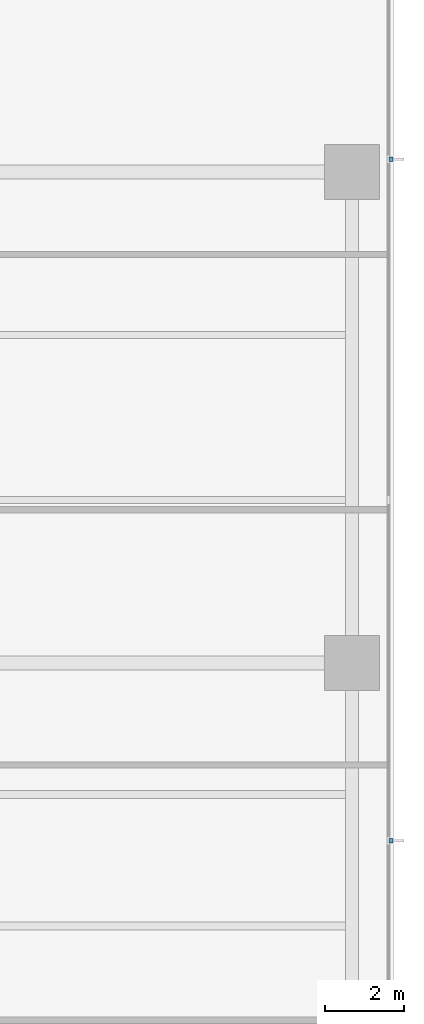
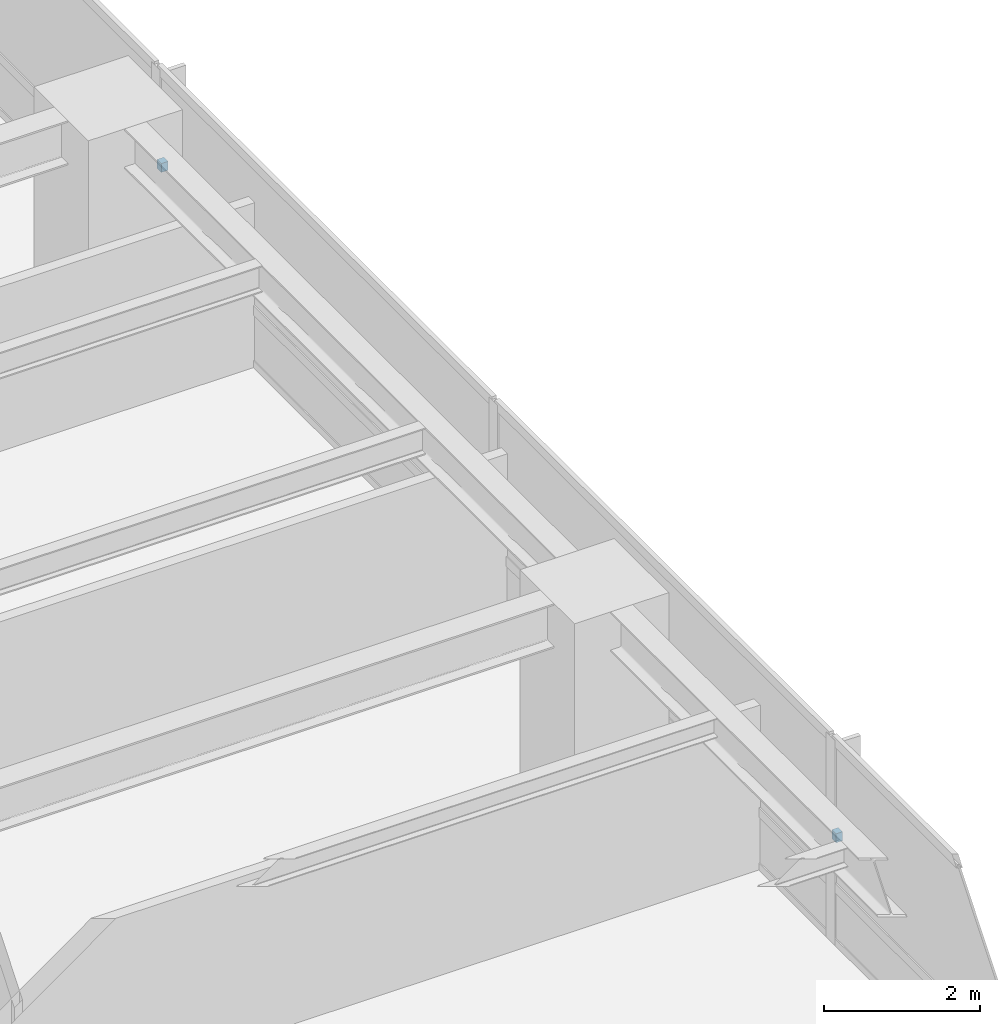
# One storey, part 13 of 17: 2 discrete accessories.
"""IFC4 building model written with IfcOpenShell, lengths in metres."""

from ifc_helpers import new_model, si_unit, direction, frame, origin, place, context, subcontext, project, spatial, polyline, outline, extrude, material, type_object, element, save


model = new_model("IFC4")

# Units and contexts
model_context = context("Model", 3, precision=1e-05, world=origin(), true_north=direction((0.0, 1.0)))
body_context = subcontext(model_context, "Body", "Model", "MODEL_VIEW")
ifc_project = project(units=[si_unit("LENGTHUNIT", "METRE"), si_unit("AREAUNIT", "SQUARE_METRE"), si_unit("VOLUMEUNIT", "CUBIC_METRE"), si_unit("PLANEANGLEUNIT", "RADIAN"), si_unit("MASSUNIT", "GRAM", prefix="KILO")], contexts=[model_context])

# Site, building, storey
site_placement = place(None, origin())
site = spatial("IfcSite", under=ifc_project, at=site_placement, CompositionType="ELEMENT")
building_placement = place(site_placement, origin())
building = spatial("IfcBuilding", under=site, at=building_placement, Name="Qalmaran Belvedere Hotel", CompositionType="ELEMENT")
storey_placement = place(building_placement, frame((0.0, 0.0, 47.39990234375)))
storey = spatial("IfcBuildingStorey", under=building, at=storey_placement, Name="L11", CompositionType="ELEMENT", Elevation=47.39990234375)

# Discrete accessories
ifc_material = material(Name="Stainless Steel 1.4401", Category="steel")
discrete_accessory_type = type_object("IfcDiscreteAccessoryType", Name="BRK-FIN-SS316", PredefinedType="BRACKET", material=ifc_material)
discrete_accessory_1_placement = place(storey_placement, frame((0.0, 0.0, 1.56005859375)))
element("IfcDiscreteAccessory", 1, at=discrete_accessory_1_placement, inside=storey, type_object=discrete_accessory_type, Name="L11 Fin Bracket 1", PredefinedType="BRACKET", context=body_context, shape_type="SweptSolid", body=[
    extrude(outline(polyline([(61.695068359375, 15.919921875), (61.79248046875, 15.919921875), (61.79248046875, 16.030029296875), (61.695068359375, 16.030029296875), (61.695068359375, 15.919921875)])), origin(), (0.0, 0.0, 1.0), 0.14013671875),
])
discrete_accessory_2_placement = place(storey_placement, frame((0.0, 0.0, 1.56005859375)))
element("IfcDiscreteAccessory", 2, at=discrete_accessory_2_placement, inside=storey, type_object=discrete_accessory_type, Name="L11 Fin Bracket 3", PredefinedType="BRACKET", context=body_context, shape_type="SweptSolid", body=[
    extrude(outline(polyline([(61.695068359375, 33.27001953125), (61.79248046875, 33.27001953125), (61.79248046875, 33.3798828125), (61.695068359375, 33.3798828125), (61.695068359375, 33.27001953125)])), origin(), (0.0, 0.0, 1.0), 0.14013671875),
])

save(model, "model.ifc")
